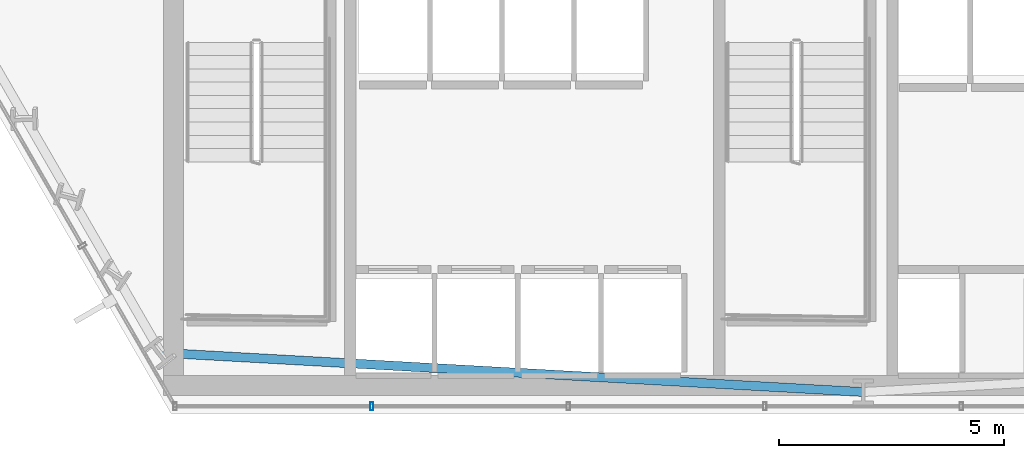
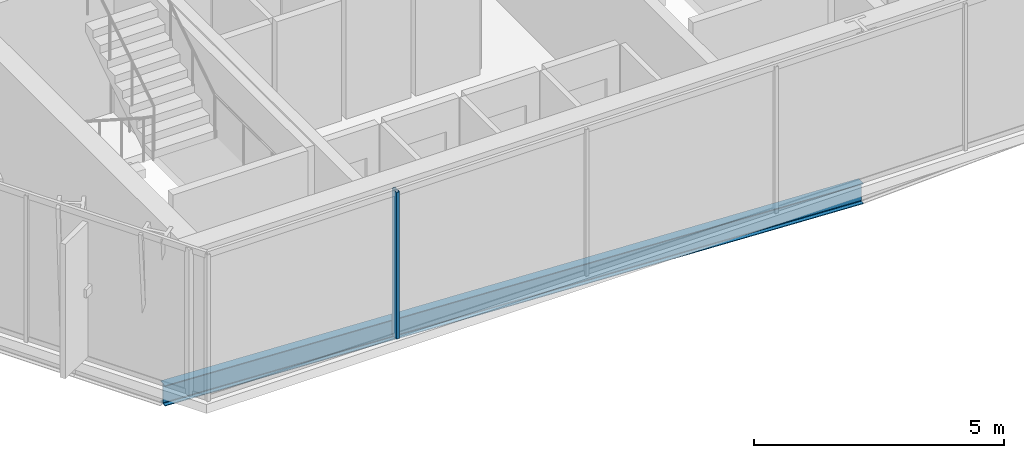
# One storey, part 3 of 33: 1 beam, 1 member, 1 element without a shape of its own.
"""IFC4 building model written with IfcOpenShell, lengths in metres."""

from ifc_helpers import new_model, si_unit, direction, frame, origin, origin_2d, place, context, subcontext, project, spatial, hollow_rectangle, i_section, extrude, material, layer, layer_set, material_profile, profile_set, type_object, element, aggregate, save


model = new_model("IFC4")

# Units and contexts
model_context = context("Model", 3, precision=1e-05, world=origin(), true_north=direction((0.0, 1.0)))
body_context = subcontext(model_context, "Body", "Model", "MODEL_VIEW")
ifc_project = project(units=[si_unit("LENGTHUNIT", "METRE"), si_unit("AREAUNIT", "SQUARE_METRE"), si_unit("VOLUMEUNIT", "CUBIC_METRE"), si_unit("PLANEANGLEUNIT", "RADIAN"), si_unit("MASSUNIT", "GRAM", prefix="KILO")], contexts=[model_context])

# Site, building, storey
site_placement = place(None, origin())
site = spatial("IfcSite", under=ifc_project, at=site_placement, CompositionType="ELEMENT")
building_placement = place(site_placement, origin())
building = spatial("IfcBuilding", under=site, at=building_placement, Name="Ndaravel Arena Tower", CompositionType="ELEMENT")
storey_placement = place(building_placement, frame((0.0, 0.0, 43.60009765625)))
storey = spatial("IfcBuildingStorey", under=building, at=storey_placement, Name="L08", CompositionType="ELEMENT", Elevation=43.60009765625)

# Beam
ifc_material_1 = material(Name="Steel S355", Category="steel")
ifc_material_profile_1 = material_profile(ifc_material_1, i_section(OverallWidth=0.199951171875, OverallDepth=0.5, WebThickness=0.01025390625, FlangeThickness=0.01611328125, FilletRadius=0.02099609375, at=origin_2d()), Name="IPE 500")
ifc_profile_set_1 = profile_set([ifc_material_profile_1], Name="Steel S355")
beam_type = type_object("IfcBeamType", Name="BM-SPAN-IPE500", PredefinedType="SPANDREL", material=ifc_profile_set_1)
beam_placement = place(storey_placement, frame((26.39306640625, 6.351806640625, -0.47021484375), z_axis=(0.998443390482, -0.055774510331, 0.0), x_axis=(0.055774510331, 0.998443390482, 0.0)))
element("IfcBeam", 1, at=beam_placement, inside=storey, type_object=beam_type, Name="L08 Perimeter Spandrel Beam SP-27", PredefinedType="SPANDREL", context=body_context, shape_type="SweptSolid", body=[
    extrude(i_section(OverallWidth=0.199951171875, OverallDepth=0.5, WebThickness=0.01025390625, FlangeThickness=0.01611328125, FilletRadius=0.02099609375, at=origin_2d()), origin(), (0.0, 0.0, 1.0), 15.63134765625),
])

# Curtain wall, member
ifc_material_2 = material(Name="Aluminium", Category="aluminium")
ifc_layer = layer(ifc_material_2, 0.179931640625)
ifc_layer_set = layer_set([ifc_layer], Name="Aluminium")
curtain_wall_type = type_object("IfcCurtainWallType", Name="CW-SYS-03", PredefinedType="NOTDEFINED", material=ifc_layer_set)
curtain_wall_placement = place(storey_placement, origin())
curtain_wall = element("IfcCurtainWall", 2, at=curtain_wall_placement, inside=storey, type_object=curtain_wall_type, Name="L08 Faceted Crystal Curtain Wall CW-L08-E01", PredefinedType="NOTDEFINED")
ifc_material_3 = material(Name="Aluminium", Category="aluminium")
ifc_material_profile_2 = material_profile(ifc_material_3, hollow_rectangle(XDim=0.074951171875, YDim=0.179931640625, WallThickness=0.00390625, at=origin_2d()), Name="CW MULLION 75x180x4")
ifc_profile_set_2 = profile_set([ifc_material_profile_2], Name="Aluminium")
member_type = type_object("IfcMemberType", Name="MEM-CW-MUL180", PredefinedType="MULLION", material=ifc_profile_set_2)
member_placement = place(storey_placement, frame((31.079833984375, 5.159912109375, 0.0), z_axis=(0.0, 0.0, 1.0), x_axis=(1.0, 0.0, 0.0)))
member = element("IfcMember", 3, at=member_placement, type_object=member_type, Name="CW-L08-E01 Mullion 01", PredefinedType="MULLION", context=body_context, shape_type="SweptSolid", body=[
    extrude(hollow_rectangle(XDim=0.074951171875, YDim=0.179931640625, WallThickness=0.00390625, at=origin_2d()), origin(), (0.0, 0.0, 1.0), 3.579833984375),
])
aggregate(curtain_wall, [member])

save(model, "model.ifc")
